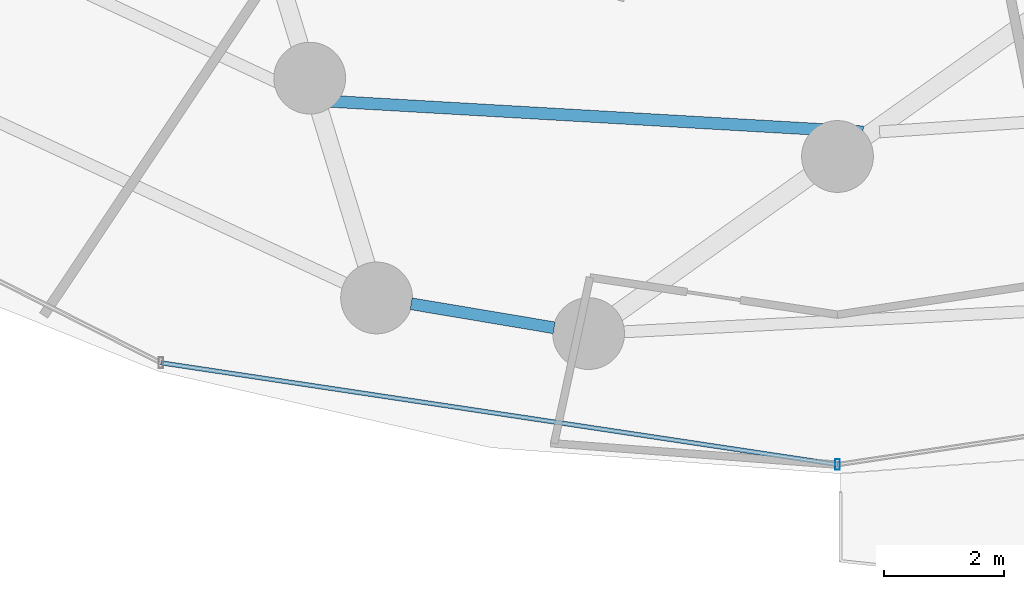
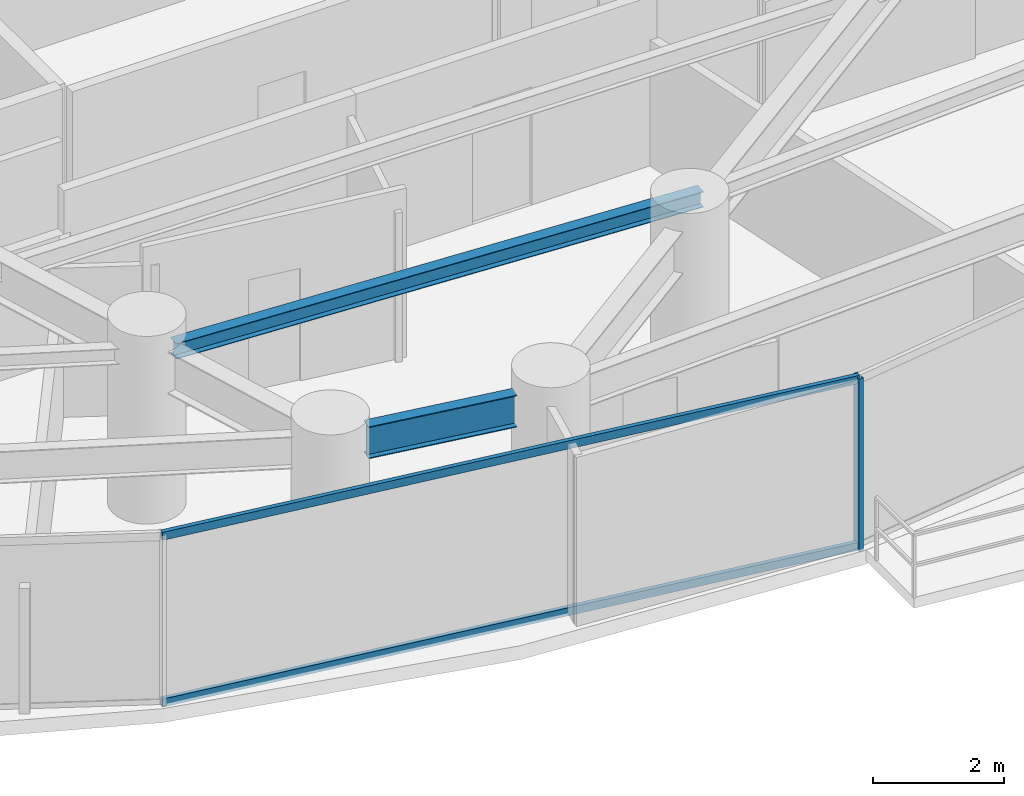
# One storey, part 6 of 34: 3 members, 2 beams, 1 element without a shape of its own.
"""IFC4 building model written with IfcOpenShell, lengths in metres."""

from ifc_helpers import new_model, si_unit, direction, frame, origin, origin_2d, place, context, subcontext, project, spatial, hollow_rectangle, i_section, extrude, material, material_profile, profile_set, type_object, element, aggregate, save


model = new_model("IFC4")

# Units and contexts
model_context = context("Model", 3, precision=1e-05, world=origin(), true_north=direction((0.0, 1.0)))
body_context = subcontext(model_context, "Body", "Model", "MODEL_VIEW")
ifc_project = project(units=[si_unit("LENGTHUNIT", "METRE"), si_unit("AREAUNIT", "SQUARE_METRE"), si_unit("VOLUMEUNIT", "CUBIC_METRE"), si_unit("PLANEANGLEUNIT", "RADIAN"), si_unit("MASSUNIT", "GRAM", prefix="KILO")], contexts=[model_context])

# Site, building, storey
site_placement = place(None, origin())
site = spatial("IfcSite", under=ifc_project, at=site_placement, CompositionType="ELEMENT")
building_placement = place(site_placement, origin())
building = spatial("IfcBuilding", under=site, at=building_placement, Name="Vorneva Point Tower", CompositionType="ELEMENT")
storey_placement = place(building_placement, frame((0.0, 0.0, 66.0)))
storey = spatial("IfcBuildingStorey", under=building, at=storey_placement, Name="L17", CompositionType="ELEMENT", Elevation=66.0)

# Beams
ifc_material_1 = material(Name="Steel S355", Category="steel")
ifc_material_profile_1 = material_profile(ifc_material_1, i_section(OverallWidth=0.199951171875, OverallDepth=0.291015625, WebThickness=0.008056640625, FlangeThickness=0.010986328125, at=origin_2d()), Name="30Sh1")
ifc_profile_set_1 = profile_set([ifc_material_profile_1], Name="Steel S355")
beam_type_1 = type_object("IfcBeamType", Name="BM-SEC-30Sh1", PredefinedType="BEAM", material=ifc_profile_set_1)
beam_1_placement = place(storey_placement, frame((29.430419921875, 9.727783203125, 3.00439453125), z_axis=(0.998351036717, -0.057403897832, 0.0), x_axis=(0.057403897832, 0.998351036717, 0.0)))
element("IfcBeam", 1, at=beam_1_placement, inside=storey, type_object=beam_type_1, Name="L17 Secondary Floor Beam 1.12", PredefinedType="BEAM", context=body_context, shape_type="SweptSolid", body=[
    extrude(i_section(OverallWidth=0.199951171875, OverallDepth=0.291015625, WebThickness=0.008056640625, FlangeThickness=0.010986328125, at=origin_2d()), origin(), (0.0, 0.0, 1.0), 9.01220703125),
])
ifc_material_profile_2 = material_profile(ifc_material_1, i_section(OverallWidth=0.198974609375, OverallDepth=0.595947265625, WebThickness=0.010009765625, FlangeThickness=0.014892578125, at=origin_2d()), Name="60B1")
ifc_profile_set_2 = profile_set([ifc_material_profile_2], Name="Steel S355")
beam_type_2 = type_object("IfcBeamType", Name="BM-SPN-60B1", PredefinedType="SPANDREL", material=ifc_profile_set_2)
beam_2_placement = place(storey_placement, frame((30.873779296875, 6.33837890625, 2.85205078125), z_axis=(0.986169723711, -0.165738577391, 0.0), x_axis=(0.165738577391, 0.986169723711, 0.0)))
element("IfcBeam", 2, at=beam_2_placement, inside=storey, type_object=beam_type_2, Name="L17 Perimeter Spandrel Ring Beam 12", PredefinedType="SPANDREL", context=body_context, shape_type="SweptSolid", body=[
    extrude(i_section(OverallWidth=0.198974609375, OverallDepth=0.595947265625, WebThickness=0.010009765625, FlangeThickness=0.014892578125, at=origin_2d()), origin(), (0.0, 0.0, 1.0), 2.423095703125),
])

# Curtain wall, members
ifc_material_2 = material(Name="Pale anodised aluminium", Category="aluminium")
curtain_wall_type = type_object("IfcCurtainWallType", Name="CW-HTL-SYS", PredefinedType="NOTDEFINED", material=ifc_material_2)
curtain_wall_placement = place(storey_placement, origin())
curtain_wall = element("IfcCurtainWall", 3, at=curtain_wall_placement, inside=storey, type_object=curtain_wall_type, Name="L17 Unitised Curtain Wall CW-L17-R04", PredefinedType="NOTDEFINED")
ifc_material_profile_3 = material_profile(ifc_material_2, hollow_rectangle(XDim=0.074951171875, YDim=0.179931640625, WallThickness=0.00390625, at=origin_2d()), Name="AL-MUL 180x75x4")
ifc_profile_set_3 = profile_set([ifc_material_profile_3], Name="Pale anodised aluminium")
member_type_1 = type_object("IfcMemberType", Name="CW-MUL-180", PredefinedType="MULLION", material=ifc_profile_set_3)
member_1_placement = place(storey_placement, frame((38.0, 3.64990234375, -0.0400390625), z_axis=(0.0, 0.0, 1.0), x_axis=(1.0, 0.0, 0.0)))
member_1 = element("IfcMember", 4, at=member_1_placement, type_object=member_type_1, Name="CW-L17-R04 Mullion 03", PredefinedType="MULLION", context=body_context, shape_type="SweptSolid", body=[
    extrude(hollow_rectangle(XDim=0.074951171875, YDim=0.179931640625, WallThickness=0.00390625, at=origin_2d()), origin(), (0.0, 0.0, 1.0), 3.219970703125),
])
ifc_material_profile_4 = material_profile(ifc_material_2, hollow_rectangle(XDim=0.074951171875, YDim=0.14990234375, WallThickness=0.00390625, at=origin_2d()), Name="AL-TRN 150x75x4")
ifc_profile_set_4 = profile_set([ifc_material_profile_4], Name="Pale anodised aluminium")
member_type_2 = type_object("IfcMemberType", Name="CW-TRN-150", PredefinedType="USERDEFINED", material=ifc_profile_set_4)
member_2_placement = place(storey_placement, frame((26.691650390625, 5.351318359375, 0.02001953125), z_axis=(0.988870014575, -0.148782036131, 0.0), x_axis=(0.148782036131, 0.988870014575, 0.0)))
member_2 = element("IfcMember", 5, at=member_2_placement, type_object=member_type_2, Name="CW-L17-R04 Transom 02.1", ObjectType="TRANSOM", PredefinedType="USERDEFINED", context=body_context, shape_type="SweptSolid", body=[
    extrude(hollow_rectangle(XDim=0.074951171875, YDim=0.14990234375, WallThickness=0.00390625, at=origin_2d()), origin(), (0.0, 0.0, 1.0), 11.435546875),
])
member_3_placement = place(storey_placement, frame((26.691650390625, 5.351318359375, 3.1298828125), z_axis=(0.988870014575, -0.148782036131, 0.0), x_axis=(0.148782036131, 0.988870014575, 0.0)))
member_3 = element("IfcMember", 6, at=member_3_placement, type_object=member_type_2, Name="CW-L17-R04 Transom 02.2", ObjectType="TRANSOM", PredefinedType="USERDEFINED", context=body_context, shape_type="SweptSolid", body=[
    extrude(hollow_rectangle(XDim=0.074951171875, YDim=0.14990234375, WallThickness=0.00390625, at=origin_2d()), origin(), (0.0, 0.0, 1.0), 11.435546875),
])
aggregate(curtain_wall, [member_1, member_2, member_3])

save(model, "model.ifc")
